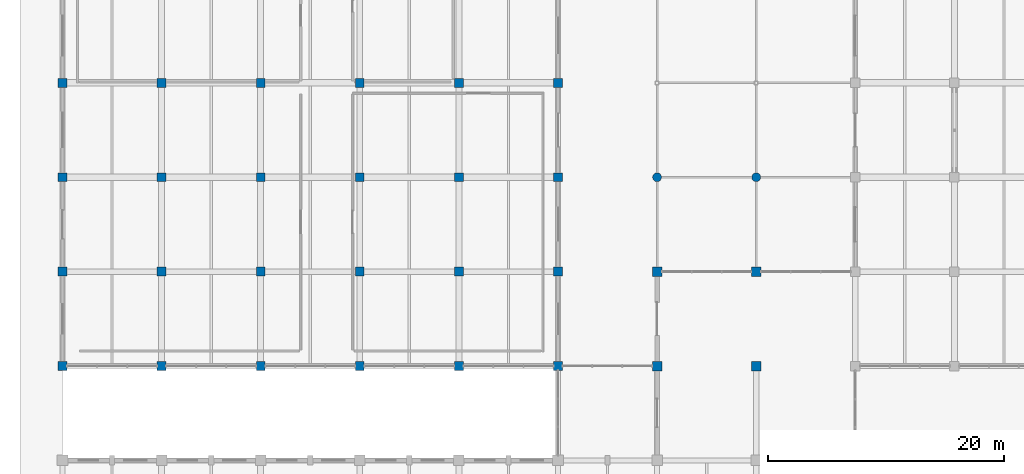
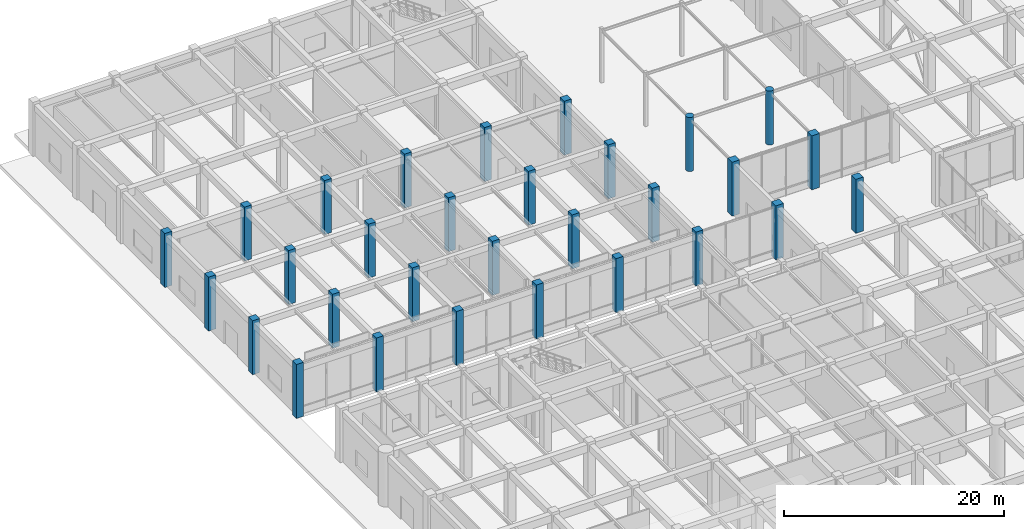
# One storey, part 9 of 76: 30 columns.
"""IFC4 building model written with IfcOpenShell, lengths in metres."""

from ifc_helpers import new_model, si_unit, direction, frame, origin, origin_2d, place, context, subcontext, project, spatial, rectangle, circle, extrude, material, material_profile, profile_set, type_object, element, save


model = new_model("IFC4")

# Units and contexts
model_context = context("Model", 3, precision=1e-05, world=origin(), true_north=direction((0.0, 1.0)))
body_context = subcontext(model_context, "Body", "Model", "MODEL_VIEW")
ifc_project = project(units=[si_unit("LENGTHUNIT", "METRE"), si_unit("AREAUNIT", "SQUARE_METRE"), si_unit("VOLUMEUNIT", "CUBIC_METRE"), si_unit("PLANEANGLEUNIT", "RADIAN"), si_unit("MASSUNIT", "GRAM", prefix="KILO")], contexts=[model_context])

# Site, building, storey
site_placement = place(None, origin())
site = spatial("IfcSite", under=ifc_project, at=site_placement, CompositionType="ELEMENT")
building_placement = place(site_placement, origin())
building = spatial("IfcBuilding", under=site, at=building_placement, Name="Naruveol Harbour Congress Hotel", CompositionType="ELEMENT")
storey_placement = place(building_placement, origin())
storey = spatial("IfcBuildingStorey", under=building, at=storey_placement, Name="L00", CompositionType="ELEMENT", Elevation=0.0)

# Columns
ifc_material_1 = material(Name="Concrete C50/60", Category="concrete")
ifc_material_profile_1 = material_profile(ifc_material_1, circle(Radius=0.375, at=origin_2d()), Name="RC-D750")
ifc_profile_set_1 = profile_set([ifc_material_profile_1], Name="Concrete C50/60")
column_type_1 = type_object("IfcColumnType", Name="RC COLONNADE COLUMN D750", PredefinedType="COLUMN", material=ifc_profile_set_1)
for number, where, z_axis, x_axis, name in (
    (1, (50.39990234375, 80.0, 0.0), (0.0, 0.0, 1.0), (1.0, 0.0, 0.0), "Column C-CD750 L00 (50.4,80.0)"),
    (2, (58.800048828125, 80.0, 0.0), (0.0, 0.0, 1.0), (1.0, 0.0, 0.0), "Column C-CD750 L00 (58.8,80.0)"),
):
    element("IfcColumn", number, at=place(storey_placement, frame(where, z_axis=z_axis, x_axis=x_axis)), inside=storey, type_object=column_type_1, Name=name, PredefinedType="COLUMN", context=body_context, shape_type="SweptSolid", body=[
        extrude(circle(Radius=0.375, at=origin_2d()), origin(), (0.0, 0.0, 1.0), 6.0),
    ])
ifc_material_2 = material(Name="Concrete C50/60", Category="concrete")
ifc_material_profile_2 = material_profile(ifc_material_2, rectangle(XDim=0.800048828125, YDim=0.800048828125, at=origin_2d()), Name="RC-800x800")
ifc_profile_set_2 = profile_set([ifc_material_profile_2], Name="Concrete C50/60")
column_type_2 = type_object("IfcColumnType", Name="RC PODIUM COLUMN 800X800", PredefinedType="COLUMN", material=ifc_profile_set_2)
for number, where, z_axis, x_axis, name in (
    (3, (50.39990234375, 64.0, 0.0), (0.0, 0.0, 1.0), (1.0, 0.0, 0.0), "Column C-800 L00 (50.4,64.0)"),
    (4, (50.39990234375, 72.0, 0.0), (0.0, 0.0, 1.0), (1.0, 0.0, 0.0), "Column C-800 L00 (50.4,72.0)"),
    (5, (58.800048828125, 64.0, 0.0), (0.0, 0.0, 1.0), (1.0, 0.0, 0.0), "Column C-800 L00 (58.8,64.0)"),
    (6, (58.800048828125, 72.0, 0.0), (0.0, 0.0, 1.0), (1.0, 0.0, 0.0), "Column C-800 L00 (58.8,72.0)"),
):
    element("IfcColumn", number, at=place(storey_placement, frame(where, z_axis=z_axis, x_axis=x_axis)), inside=storey, type_object=column_type_2, Name=name, PredefinedType="COLUMN", context=body_context, shape_type="SweptSolid", body=[
        extrude(rectangle(XDim=0.800048828125, YDim=0.800048828125, at=origin_2d()), origin(), (0.0, 0.0, 1.0), 6.0),
    ])
ifc_material_3 = material(Name="Concrete C50/60", Category="concrete")
ifc_material_profile_3 = material_profile(ifc_material_3, rectangle(XDim=0.75, YDim=0.75, at=origin_2d()), Name="RC-750x750")
ifc_profile_set_3 = profile_set([ifc_material_profile_3], Name="Concrete C50/60")
column_type_3 = type_object("IfcColumnType", Name="RC WING COLUMN 750X750", PredefinedType="COLUMN", material=ifc_profile_set_3)
for number, where, z_axis, x_axis, name in (
    (7, (0.0, 64.0, 0.0), (0.0, 0.0, 1.0), (1.0, 0.0, 0.0), "Column C-750 L00 (0.0,64.0)"),
    (8, (0.0, 72.0, 0.0), (0.0, 0.0, 1.0), (1.0, 0.0, 0.0), "Column C-750 L00 (0.0,72.0)"),
    (9, (0.0, 80.0, 0.0), (0.0, 0.0, 1.0), (1.0, 0.0, 0.0), "Column C-750 L00 (0.0,80.0)"),
    (10, (0.0, 88.0, 0.0), (0.0, 0.0, 1.0), (1.0, 0.0, 0.0), "Column C-750 L00 (0.0,88.0)"),
    (11, (8.39990234375, 64.0, 0.0), (0.0, 0.0, 1.0), (1.0, 0.0, 0.0), "Column C-750 L00 (8.4,64.0)"),
    (12, (8.39990234375, 72.0, 0.0), (0.0, 0.0, 1.0), (1.0, 0.0, 0.0), "Column C-750 L00 (8.4,72.0)"),
    (13, (8.39990234375, 80.0, 0.0), (0.0, 0.0, 1.0), (1.0, 0.0, 0.0), "Column C-750 L00 (8.4,80.0)"),
    (14, (8.39990234375, 88.0, 0.0), (0.0, 0.0, 1.0), (1.0, 0.0, 0.0), "Column C-750 L00 (8.4,88.0)"),
    (15, (16.800048828125, 64.0, 0.0), (0.0, 0.0, 1.0), (1.0, 0.0, 0.0), "Column C-750 L00 (16.8,64.0)"),
    (16, (16.800048828125, 72.0, 0.0), (0.0, 0.0, 1.0), (1.0, 0.0, 0.0), "Column C-750 L00 (16.8,72.0)"),
    (17, (16.800048828125, 80.0, 0.0), (0.0, 0.0, 1.0), (1.0, 0.0, 0.0), "Column C-750 L00 (16.8,80.0)"),
    (18, (16.800048828125, 88.0, 0.0), (0.0, 0.0, 1.0), (1.0, 0.0, 0.0), "Column C-750 L00 (16.8,88.0)"),
    (19, (25.199951171875, 64.0, 0.0), (0.0, 0.0, 1.0), (1.0, 0.0, 0.0), "Column C-750 L00 (25.2,64.0)"),
    (20, (25.199951171875, 72.0, 0.0), (0.0, 0.0, 1.0), (1.0, 0.0, 0.0), "Column C-750 L00 (25.2,72.0)"),
    (21, (25.199951171875, 80.0, 0.0), (0.0, 0.0, 1.0), (1.0, 0.0, 0.0), "Column C-750 L00 (25.2,80.0)"),
    (22, (25.199951171875, 88.0, 0.0), (0.0, 0.0, 1.0), (1.0, 0.0, 0.0), "Column C-750 L00 (25.2,88.0)"),
    (23, (33.60009765625, 64.0, 0.0), (0.0, 0.0, 1.0), (1.0, 0.0, 0.0), "Column C-750 L00 (33.6,64.0)"),
    (24, (33.60009765625, 72.0, 0.0), (0.0, 0.0, 1.0), (1.0, 0.0, 0.0), "Column C-750 L00 (33.6,72.0)"),
    (25, (33.60009765625, 80.0, 0.0), (0.0, 0.0, 1.0), (1.0, 0.0, 0.0), "Column C-750 L00 (33.6,80.0)"),
    (26, (33.60009765625, 88.0, 0.0), (0.0, 0.0, 1.0), (1.0, 0.0, 0.0), "Column C-750 L00 (33.6,88.0)"),
    (27, (42.0, 64.0, 0.0), (0.0, 0.0, 1.0), (1.0, 0.0, 0.0), "Column C-750 L00 (42.0,64.0)"),
    (28, (42.0, 72.0, 0.0), (0.0, 0.0, 1.0), (1.0, 0.0, 0.0), "Column C-750 L00 (42.0,72.0)"),
    (29, (42.0, 80.0, 0.0), (0.0, 0.0, 1.0), (1.0, 0.0, 0.0), "Column C-750 L00 (42.0,80.0)"),
    (30, (42.0, 88.0, 0.0), (0.0, 0.0, 1.0), (1.0, 0.0, 0.0), "Column C-750 L00 (42.0,88.0)"),
):
    element("IfcColumn", number, at=place(storey_placement, frame(where, z_axis=z_axis, x_axis=x_axis)), inside=storey, type_object=column_type_3, Name=name, PredefinedType="COLUMN", context=body_context, shape_type="SweptSolid", body=[
        extrude(rectangle(XDim=0.75, YDim=0.75, at=origin_2d()), origin(), (0.0, 0.0, 1.0), 6.0),
    ])

save(model, "model.ifc")
